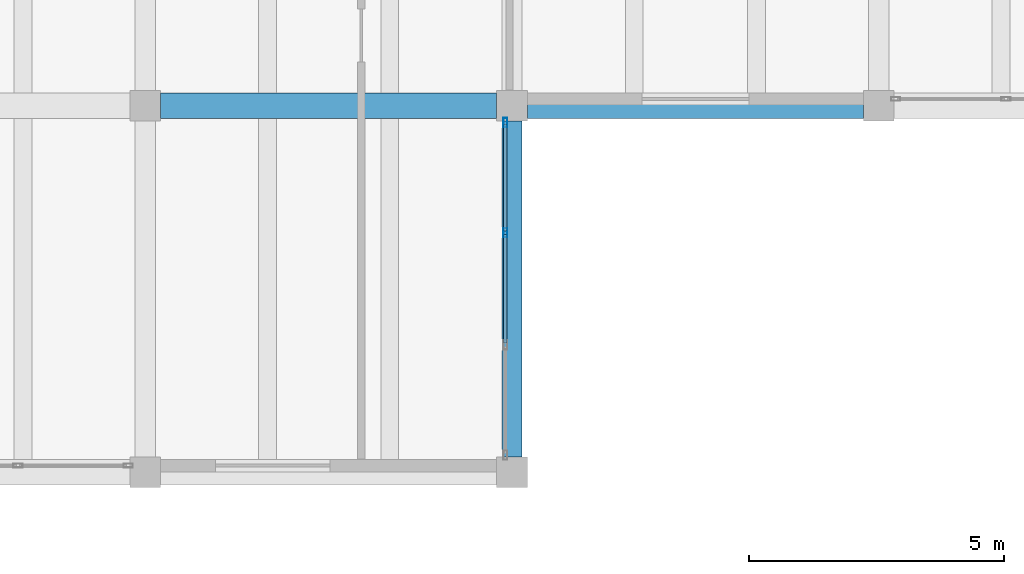
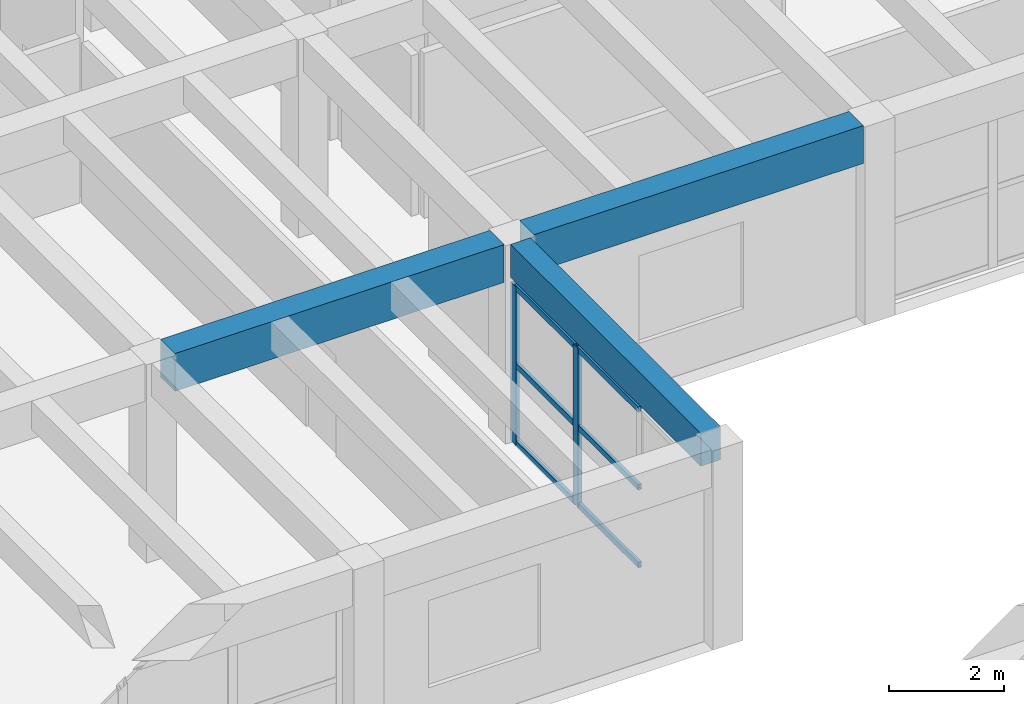
# One storey, part 61 of 153: 8 members, 3 beams, 1 element without a shape of its own.
"""IFC4 building model written with IfcOpenShell, lengths in metres."""

import ifcopenshell
import ifcopenshell.guid

model = None  # the IFC model being written
_history = None  # IfcOwnerHistory: only IFC2X3 demands one
_inside = {}  # id of a spatial element -> (the spatial element, [elements in it])
_under = {}  # id of a project, library or spatial element -> (it, [spatial elements below it])
_declared = {}  # id of a project -> (the project, [libraries it declares])
_typed = {}  # id of a type object -> (the type object, [elements of that type])
_made_of = {}  # id of a material, layer set ... -> (it, [elements and type objects made of it])


def new_model(schema):
    """Start an empty IFC model of exactly this schema.

    Asked for "IFC4X3", IfcOpenShell would pick the latest addendum, in which some entities
    have other attributes; the version numbers below select the first issue.
    IFC2X3 requires an IfcOwnerHistory on every rooted entity: one is made here for all.
    """
    global model, _history
    if schema == "IFC4X3":
        model = ifcopenshell.file(schema_version=(4, 3, 0, 0))
    else:
        model = ifcopenshell.file(schema=schema)
    _inside.clear()
    _under.clear()
    _declared.clear()
    _typed.clear()
    _made_of.clear()
    _history = None
    if model.schema == "IFC2X3":
        org = make("IfcOrganization", Name="unknown")
        user = make(
            "IfcPersonAndOrganization",
            ThePerson=make("IfcPerson", FamilyName="unknown"),
            TheOrganization=org,
        )
        app = make(
            "IfcApplication",
            ApplicationDeveloper=org,
            Version="unknown",
            ApplicationFullName="unknown",
            ApplicationIdentifier="unknown",
        )
        _history = make(
            "IfcOwnerHistory",
            OwningUser=user,
            OwningApplication=app,
            ChangeAction="ADDED",
            CreationDate=0,
        )
    return model


def make(cls, **values):
    """One entity of the class cls with the attributes given. An attribute that is None is left unset."""
    return model.create_entity(
        cls, **{name: value for name, value in values.items() if value is not None}
    )


def rooted(cls, **values):
    """An entity with a GlobalId (a new one), such as an element, a storey or a relation."""
    return make(cls, GlobalId=ifcopenshell.guid.new(), OwnerHistory=_history, **values)


def si_unit(unit_type, name, prefix=None):
    """IfcSIUnit, for example si_unit("LENGTHUNIT", "METRE", prefix="MILLI")."""
    return make("IfcSIUnit", UnitType=unit_type, Prefix=prefix, Name=name)


def assignment(units):
    """IfcUnitAssignment: the units of a project."""
    return None if units is None else make("IfcUnitAssignment", Units=units)


def point(xyz):
    """IfcCartesianPoint."""
    return None if xyz is None else make("IfcCartesianPoint", Coordinates=xyz)


def direction(xyz):
    """IfcDirection."""
    return None if xyz is None else make("IfcDirection", DirectionRatios=xyz)


def frame(location, z_axis=None, x_axis=None):
    """IfcAxis2Placement3D, a coordinate frame: its origin and axes. An axis left out is left unset."""
    return make(
        "IfcAxis2Placement3D",
        Location=point(location),
        Axis=direction(z_axis),
        RefDirection=direction(x_axis),
    )


def frame_2d(location, x_axis=None):
    """IfcAxis2Placement2D, a coordinate frame in the plane: its origin and x axis."""
    return make(
        "IfcAxis2Placement2D", Location=point(location), RefDirection=direction(x_axis)
    )


def origin():
    """The frame at (0, 0, 0) with its axes left unset."""
    return frame((0.0, 0.0, 0.0))


def origin_2d():
    """The frame at (0, 0) in the plane with its x axis left unset."""
    return frame_2d((0.0, 0.0))


def place(relative_to, where):
    """IfcLocalPlacement: puts the frame where relative to a parent placement (None: the world)."""
    return make(
        "IfcLocalPlacement", PlacementRelTo=relative_to, RelativePlacement=where
    )


def context(
    kind, dimensions, precision=None, world=None, true_north=None, identifier=None
):
    """IfcGeometricRepresentationContext, for example the 3D "Model" context."""
    return make(
        "IfcGeometricRepresentationContext",
        ContextIdentifier=identifier,
        ContextType=kind,
        CoordinateSpaceDimension=dimensions,
        Precision=precision,
        WorldCoordinateSystem=world,
        TrueNorth=true_north,
    )


def subcontext(parent, identifier, kind, view, scale=None):
    """IfcGeometricRepresentationSubContext, for example "Body" below "Model"."""
    return make(
        "IfcGeometricRepresentationSubContext",
        ContextIdentifier=identifier,
        ContextType=kind,
        ParentContext=parent,
        TargetScale=scale,
        TargetView=view,
    )


def project(units=None, contexts=None):
    """IfcProject with its units and contexts."""
    return rooted(
        "IfcProject",
        Name="project",
        RepresentationContexts=contexts,
        UnitsInContext=assignment(units),
    )


def spatial(cls, under=None, at=None, **own):
    """A site, building, storey or space (cls), placed at a placement, below another one or the project."""
    s = rooted(cls, ObjectPlacement=at, **own)
    if under is not None:
        _under.setdefault(under.id(), (under, []))[1].append(s)
    return s


def profile(cls, at=None, kind="AREA", **sizes):
    """A parametric profile (cls). Its sizes go by their IFC names, for example OverallWidth=200.0."""
    return make(cls, ProfileType=kind, Position=at, **sizes)


def rectangle(**sizes):
    """IfcRectangleProfileDef."""
    return profile("IfcRectangleProfileDef", **sizes)


def hollow_rectangle(**sizes):
    """IfcRectangleHollowProfileDef."""
    return profile("IfcRectangleHollowProfileDef", **sizes)


def extrude(swept, where, along, depth):
    """IfcExtrudedAreaSolid: the profile swept, set in the frame where, extruded along a direction by depth."""
    return make(
        "IfcExtrudedAreaSolid",
        SweptArea=swept,
        Position=where,
        ExtrudedDirection=direction(along),
        Depth=depth,
    )


def shape(context_of_items, identifier, shape_type, items):
    """IfcShapeRepresentation: the items that make up one representation, for example the "Body"."""
    return make(
        "IfcShapeRepresentation",
        ContextOfItems=context_of_items,
        RepresentationIdentifier=identifier,
        RepresentationType=shape_type,
        Items=items,
    )


def material(Name=None, Category=None):
    """IfcMaterial."""
    return make("IfcMaterial", Name=Name, Category=Category)


def material_profile(
    of_material, cross_section, Name=None, Category=None, Priority=None
):
    """IfcMaterialProfile: a cross section and its material."""
    return make(
        "IfcMaterialProfile",
        Name=Name,
        Material=of_material,
        Profile=cross_section,
        Priority=Priority,
        Category=Category,
    )


def profile_set(profiles, Name=None, composite=None):
    """IfcMaterialProfileSet."""
    return make(
        "IfcMaterialProfileSet",
        Name=Name,
        MaterialProfiles=profiles,
        CompositeProfile=composite,
    )


def made_of(thing, what):
    """Note that an element or type object is made of a material, layer set ...; save() writes the relation."""
    if what is not None:
        _made_of.setdefault(what.id(), (what, []))[1].append(thing)
    return thing


def type_object(cls, material=None, **own):
    """A type object (cls), such as IfcWallType, which elements share."""
    return made_of(rooted(cls, **own), material)


def element(
    cls,
    number,
    at=None,
    inside=None,
    cuts=None,
    type_object=None,
    material=None,
    context=None,
    identifier="Body",
    shape_type=None,
    held_by="IfcProductDefinitionShape",
    body=None,
    shapes=None,
    **own,
):
    """One element of the class cls, such as IfcWall. Its Tag is "e" and its number.

    at: its placement. inside: the storey or other place that contains it. cuts: it is an
    opening in that element (IfcRelVoidsElement). A single representation is given by context,
    identifier, shape_type and body (its items); several are given by shapes. held_by: the class
    of the entity that holds the representations. save() writes the other relations.
    """
    e = rooted(cls, Tag="e%d" % number, ObjectPlacement=at, **own)
    if body is not None:
        shapes = [shape(context, identifier, shape_type, body)]
    if shapes is not None:
        e.Representation = make(held_by, Representations=shapes)
    if inside is not None:
        _inside.setdefault(inside.id(), (inside, []))[1].append(e)
    if cuts is not None:
        rooted(
            "IfcRelVoidsElement", RelatingBuildingElement=cuts, RelatedOpeningElement=e
        )
    if type_object is not None:
        _typed.setdefault(type_object.id(), (type_object, []))[1].append(e)
    return made_of(e, material)


def aggregate(whole, parts):
    """IfcRelAggregates: a whole, such as a stair, and the parts it consists of."""
    return rooted("IfcRelAggregates", RelatingObject=whole, RelatedObjects=parts)


def save(model, path):
    """Write the relations noted so far, then the file.

    IfcRelAggregates (storeys below a building ...), IfcRelContainedInSpatialStructure (elements
    in a storey), IfcRelDefinesByType, IfcRelAssociatesMaterial and IfcRelDeclares: one each for
    every whole, place, type object, material and project.
    """
    for whole, parts in _under.values():
        aggregate(whole, parts)
    for where, things in _inside.values():
        rooted(
            "IfcRelContainedInSpatialStructure",
            RelatedElements=things,
            RelatingStructure=where,
        )
    for kind, things in _typed.values():
        rooted("IfcRelDefinesByType", RelatedObjects=things, RelatingType=kind)
    for what, things in _made_of.values():
        rooted("IfcRelAssociatesMaterial", RelatedObjects=things, RelatingMaterial=what)
    for by, libraries in _declared.values():
        rooted("IfcRelDeclares", RelatingContext=by, RelatedDefinitions=libraries)
    model.write(path)


model = new_model("IFC4")

# Units and contexts
model_context = context("Model", 3, precision=1e-05, world=origin(), true_north=direction((0.0, 1.0)))
body_context = subcontext(model_context, "Body", "Model", "MODEL_VIEW")
ifc_project = project(units=[si_unit("LENGTHUNIT", "METRE"), si_unit("AREAUNIT", "SQUARE_METRE"), si_unit("VOLUMEUNIT", "CUBIC_METRE"), si_unit("PLANEANGLEUNIT", "RADIAN"), si_unit("MASSUNIT", "GRAM", prefix="KILO")], contexts=[model_context])

# Site, building, storey
site_placement = place(None, origin())
site = spatial("IfcSite", under=ifc_project, at=site_placement, CompositionType="ELEMENT")
building_placement = place(site_placement, origin())
building = spatial("IfcBuilding", under=site, at=building_placement, Name="Bramvelor Terrace Health Centre", CompositionType="ELEMENT")
storey_placement = place(building_placement, frame((0.0, 0.0, 4.800048828125)))
storey = spatial("IfcBuildingStorey", under=building, at=storey_placement, Name="L02", CompositionType="ELEMENT", Elevation=4.800048828125)

# Beams
ifc_material_1 = material(Name="Concrete C40/50", Category="concrete")
ifc_material_profile_1 = material_profile(ifc_material_1, rectangle(XDim=0.39990234375, YDim=0.699951171875, at=origin_2d()), Name="RC 400x700")
ifc_profile_set_1 = profile_set([ifc_material_profile_1], Name="Concrete C40/50")
beam_type_1 = type_object("IfcBeamType", Name="BM-RC-G700", PredefinedType="BEAM", material=ifc_profile_set_1)
beam_placement = place(storey_placement, frame((14.39990234375, 72.300048828125, 3.849853515625), z_axis=(0.0, 1.0, 0.0), x_axis=(-1.0, 0.0, 0.0)))
element("IfcBeam", 1, at=beam_placement, inside=storey, type_object=beam_type_1, Name="L02 Floor Girder", PredefinedType="BEAM", context=body_context, shape_type="SweptSolid", body=[
    extrude(rectangle(XDim=0.39990234375, YDim=0.699951171875, at=origin_2d()), origin(), (0.0, 0.0, 1.0), 6.599853515625),
])
ifc_material_2 = material(Name="Concrete C40/50", Category="concrete")
ifc_material_profile_2 = material_profile(ifc_material_2, rectangle(XDim=0.5, YDim=0.800048828125, at=origin_2d()), Name="RC 500x800")
ifc_profile_set_2 = profile_set([ifc_material_profile_2], Name="Concrete C40/50")
beam_type_2 = type_object("IfcBeamType", Name="BM-RC-G800", PredefinedType="BEAM", material=ifc_profile_set_2)
for number, where, z_axis, x_axis, name in (
    (2, (7.5, 79.199951171875, 3.800048828125), (1.0, 0.0, 0.0), (0.0, 1.0, 0.0), "L02 Floor Girder"),
    (3, (14.699951171875, 79.199951171875, 3.800048828125), (1.0, 0.0, 0.0), (0.0, 1.0, 0.0), "L02 Floor Girder"),
):
    element("IfcBeam", number, at=place(storey_placement, frame(where, z_axis=z_axis, x_axis=x_axis)), inside=storey, type_object=beam_type_2, Name=name, PredefinedType="BEAM", context=body_context, shape_type="SweptSolid", body=[
        extrude(rectangle(XDim=0.5, YDim=0.800048828125, at=origin_2d()), origin(), (0.0, 0.0, 1.0), 6.60009765625),
    ])

# Curtain wall, members
ifc_material_3 = material(Name="Anodized aluminium and double low-E glass", Category="aluminium")
curtain_wall_type = type_object("IfcCurtainWallType", Name="CW-SYS-12", PredefinedType="NOTDEFINED", material=ifc_material_3)
curtain_wall_placement = place(storey_placement, origin())
curtain_wall = element("IfcCurtainWall", 4, at=curtain_wall_placement, inside=storey, type_object=curtain_wall_type, Name="L02 Unitized Curtain Wall 75", PredefinedType="NOTDEFINED")
ifc_material_4 = material(Name="Anodized aluminium 6063-T6", Category="aluminium")
ifc_material_profile_3 = material_profile(ifc_material_4, hollow_rectangle(XDim=0.074951171875, YDim=0.179931640625, WallThickness=0.00341796875, at=origin_2d()), Name="ALU-MUL 75x180x3.5")
ifc_profile_set_3 = profile_set([ifc_material_profile_3], Name="Anodized aluminium 6063-T6")
member_type_1 = type_object("IfcMemberType", Name="CW-MUL-65x180", PredefinedType="MULLION", material=ifc_profile_set_3)
member_1_placement = place(storey_placement, frame((14.27001953125, 78.867431640625, 0.0), z_axis=(0.0, 0.0, 1.0), x_axis=(1.0, 0.0, 0.0)))
member_1 = element("IfcMember", 5, at=member_1_placement, type_object=member_type_1, Name="CW-12 mullion 1", PredefinedType="MULLION", context=body_context, shape_type="SweptSolid", body=[
    extrude(hollow_rectangle(XDim=0.074951171875, YDim=0.179931640625, WallThickness=0.00341796875, at=origin_2d()), origin(), (0.0, 0.0, 1.0), 3.35986328125),
])
member_2_placement = place(storey_placement, frame((14.27001953125, 76.70166015625, 0.0), z_axis=(0.0, 0.0, 1.0), x_axis=(1.0, 0.0, 0.0)))
member_2 = element("IfcMember", 6, at=member_2_placement, type_object=member_type_1, Name="CW-12 mullion 2", PredefinedType="MULLION", context=body_context, shape_type="SweptSolid", body=[
    extrude(hollow_rectangle(XDim=0.074951171875, YDim=0.179931640625, WallThickness=0.00341796875, at=origin_2d()), origin(), (0.0, 0.0, 1.0), 3.35986328125),
])
ifc_material_5 = material(Name="Anodized aluminium 6063-T6", Category="aluminium")
ifc_material_profile_4 = material_profile(ifc_material_5, hollow_rectangle(XDim=0.06494140625, YDim=0.1201171875, WallThickness=0.0029296875, at=origin_2d()), Name="ALU-TRN 65x120x3.0")
ifc_profile_set_4 = profile_set([ifc_material_profile_4], Name="Anodized aluminium 6063-T6")
member_type_2 = type_object("IfcMemberType", Name="CW-TRN-65x150", PredefinedType="USERDEFINED", material=ifc_profile_set_4)
member_3_placement = place(storey_placement, frame((14.27001953125, 78.830078125, 0.032470703125), z_axis=(0.0, -1.0, 0.0), x_axis=(1.0, 0.0, 0.0)))
member_3 = element("IfcMember", 7, at=member_3_placement, type_object=member_type_2, Name="CW-12 transom 1.1", ObjectType="TRANSOM", PredefinedType="USERDEFINED", context=body_context, shape_type="SweptSolid", body=[
    extrude(hollow_rectangle(XDim=0.06494140625, YDim=0.1201171875, WallThickness=0.0029296875, at=origin_2d()), origin(), (0.0, 0.0, 1.0), 2.0908203125),
])
member_4_placement = place(storey_placement, frame((14.27001953125, 78.830078125, 1.679931640625), z_axis=(0.0, -1.0, 0.0), x_axis=(1.0, 0.0, 0.0)))
member_4 = element("IfcMember", 8, at=member_4_placement, type_object=member_type_2, Name="CW-12 transom 1.2", ObjectType="TRANSOM", PredefinedType="USERDEFINED", context=body_context, shape_type="SweptSolid", body=[
    extrude(hollow_rectangle(XDim=0.06494140625, YDim=0.1201171875, WallThickness=0.0029296875, at=origin_2d()), origin(), (0.0, 0.0, 1.0), 2.0908203125),
])
member_5_placement = place(storey_placement, frame((14.27001953125, 78.830078125, 3.327392578125), z_axis=(0.0, -1.0, 0.0), x_axis=(1.0, 0.0, 0.0)))
member_5 = element("IfcMember", 9, at=member_5_placement, type_object=member_type_2, Name="CW-12 transom 1.3", ObjectType="TRANSOM", PredefinedType="USERDEFINED", context=body_context, shape_type="SweptSolid", body=[
    extrude(hollow_rectangle(XDim=0.06494140625, YDim=0.1201171875, WallThickness=0.0029296875, at=origin_2d()), origin(), (0.0, 0.0, 1.0), 2.0908203125),
])
member_6_placement = place(storey_placement, frame((14.27001953125, 76.6640625, 0.032470703125), z_axis=(0.0, -1.0, 0.0), x_axis=(1.0, 0.0, 0.0)))
member_6 = element("IfcMember", 10, at=member_6_placement, type_object=member_type_2, Name="CW-12 transom 2.1", ObjectType="TRANSOM", PredefinedType="USERDEFINED", context=body_context, shape_type="SweptSolid", body=[
    extrude(hollow_rectangle(XDim=0.06494140625, YDim=0.1201171875, WallThickness=0.0029296875, at=origin_2d()), origin(), (0.0, 0.0, 1.0), 2.128173828125),
])
member_7_placement = place(storey_placement, frame((14.27001953125, 76.6640625, 1.679931640625), z_axis=(0.0, -1.0, 0.0), x_axis=(1.0, 0.0, 0.0)))
member_7 = element("IfcMember", 11, at=member_7_placement, type_object=member_type_2, Name="CW-12 transom 2.2", ObjectType="TRANSOM", PredefinedType="USERDEFINED", context=body_context, shape_type="SweptSolid", body=[
    extrude(hollow_rectangle(XDim=0.06494140625, YDim=0.1201171875, WallThickness=0.0029296875, at=origin_2d()), origin(), (0.0, 0.0, 1.0), 2.128173828125),
])
member_8_placement = place(storey_placement, frame((14.27001953125, 76.6640625, 3.327392578125), z_axis=(0.0, -1.0, 0.0), x_axis=(1.0, 0.0, 0.0)))
member_8 = element("IfcMember", 12, at=member_8_placement, type_object=member_type_2, Name="CW-12 transom 2.3", ObjectType="TRANSOM", PredefinedType="USERDEFINED", context=body_context, shape_type="SweptSolid", body=[
    extrude(hollow_rectangle(XDim=0.06494140625, YDim=0.1201171875, WallThickness=0.0029296875, at=origin_2d()), origin(), (0.0, 0.0, 1.0), 2.128173828125),
])
aggregate(curtain_wall, [member_1, member_2, member_3, member_4, member_5, member_6, member_7, member_8])

save(model, "model.ifc")
